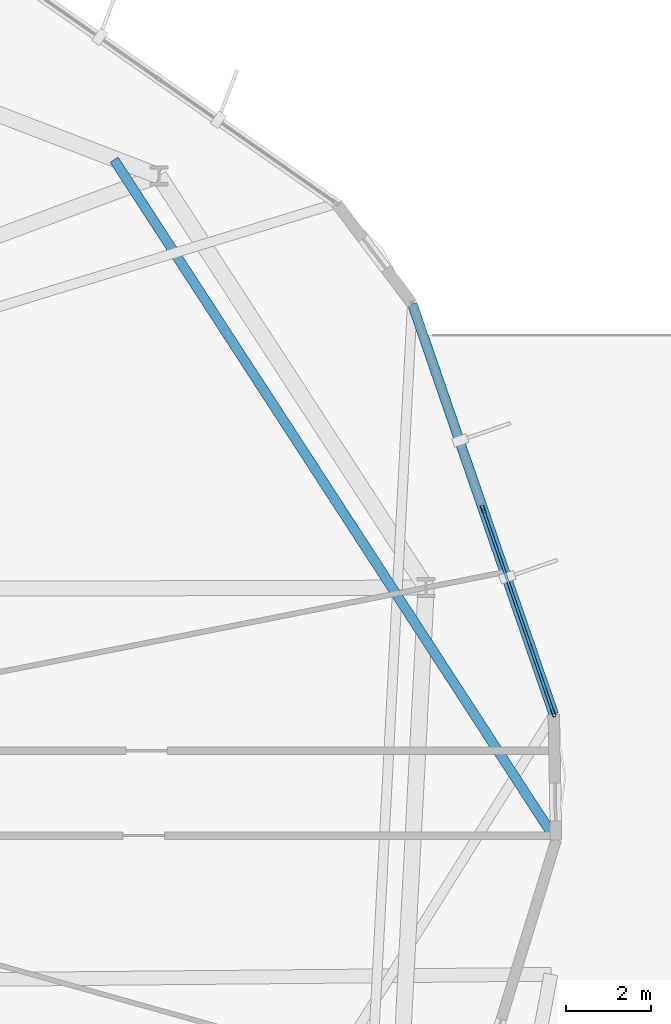
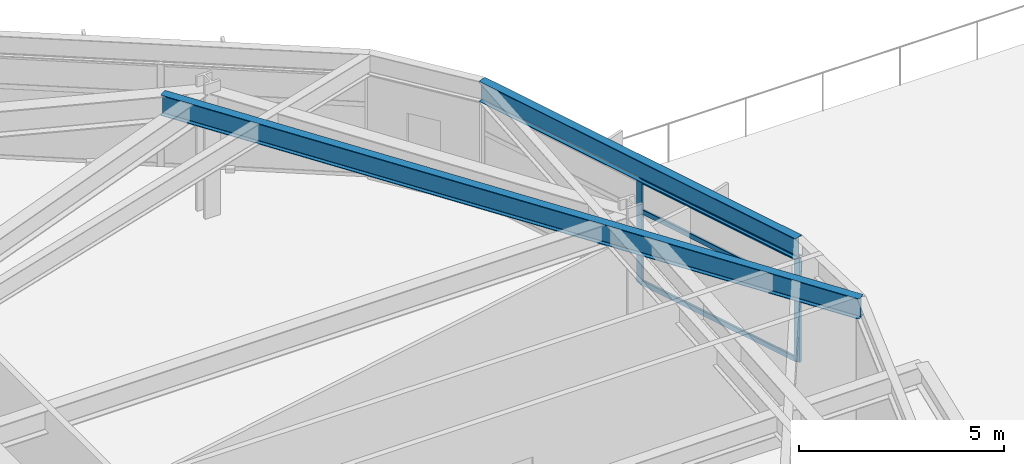
# One storey, part 10 of 23: 5 members, 2 beams, 1 element without a shape of its own.
"""IFC4 building model written with IfcOpenShell, lengths in metres."""

from ifc_helpers import new_model, si_unit, direction, frame, origin, origin_2d, place, context, subcontext, project, spatial, hollow_rectangle, i_section, extrude, material, layer, layer_set, material_profile, profile_set, type_object, element, aggregate, save


model = new_model("IFC4")

# Units and contexts
model_context = context("Model", 3, precision=1e-05, world=origin(), true_north=direction((0.0, 1.0)))
body_context = subcontext(model_context, "Body", "Model", "MODEL_VIEW")
ifc_project = project(units=[si_unit("LENGTHUNIT", "METRE"), si_unit("AREAUNIT", "SQUARE_METRE"), si_unit("VOLUMEUNIT", "CUBIC_METRE"), si_unit("PLANEANGLEUNIT", "RADIAN"), si_unit("MASSUNIT", "GRAM", prefix="KILO")], contexts=[model_context])

# Site, building, storey
site_placement = place(None, origin())
site = spatial("IfcSite", under=ifc_project, at=site_placement, CompositionType="ELEMENT")
building_placement = place(site_placement, origin())
building = spatial("IfcBuilding", under=site, at=building_placement, Name="Soratama Intermodal Tower", CompositionType="ELEMENT")
storey_placement = place(building_placement, frame((0.0, 0.0, 30.60009765625)))
storey = spatial("IfcBuildingStorey", under=building, at=storey_placement, Name="L06", CompositionType="ELEMENT", Elevation=30.60009765625)

# Beams
ifc_material_1 = material(Name="Structural steel ASTM A992 Grade 50", Category="steel")
ifc_material_profile_1 = material_profile(ifc_material_1, i_section(OverallWidth=0.22900390625, OverallDepth=0.612060546875, WebThickness=0.011962890625, FlangeThickness=0.01953125, FilletRadius=0.012939453125, at=origin_2d()), Name="W24X84")
ifc_profile_set_1 = profile_set([ifc_material_profile_1], Name="Structural steel ASTM A992 Grade 50")
beam_type_1 = type_object("IfcBeamType", Name="BM-SPN-W24X84", PredefinedType="SPANDREL", material=ifc_profile_set_1)
beam_1_placement = place(storey_placement, frame((66.087890625, 26.85888671875, 3.393798828125), z_axis=(-0.325883307042, 0.945410001106, 0.0), x_axis=(-0.945410001106, -0.325883307042, 0.0)))
element("IfcBeam", 1, at=beam_1_placement, inside=storey, type_object=beam_type_1, Name="BS-L06-F01", PredefinedType="SPANDREL", context=body_context, shape_type="SweptSolid", body=[
    extrude(i_section(OverallWidth=0.22900390625, OverallDepth=0.612060546875, WebThickness=0.011962890625, FlangeThickness=0.01953125, FilletRadius=0.012939453125, at=origin_2d()), origin(), (0.0, 0.0, 1.0), 10.230712890625),
])
ifc_material_2 = material(Name="Structural steel ASTM A992 Grade 50", Category="steel")
ifc_material_profile_2 = material_profile(ifc_material_2, i_section(OverallWidth=0.22900390625, OverallDepth=0.612060546875, WebThickness=0.011962890625, FlangeThickness=0.01953125, FilletRadius=0.012939453125, at=origin_2d()), Name="W24X84")
ifc_profile_set_2 = profile_set([ifc_material_profile_2], Name="Structural steel ASTM A992 Grade 50")
beam_type_2 = type_object("IfcBeamType", Name="BM-TIE-W24X84", PredefinedType="BEAM", material=ifc_profile_set_2)
beam_2_placement = place(storey_placement, frame((55.72705078125, 39.927001953125, 3.393798828125), z_axis=(0.544694327638, -0.838634657905, 0.0), x_axis=(0.838634657905, 0.544694327638, 0.0)))
element("IfcBeam", 2, at=beam_2_placement, inside=storey, type_object=beam_type_2, Name="BM-L06-TIE1-10", PredefinedType="BEAM", context=body_context, shape_type="SweptSolid", body=[
    extrude(i_section(OverallWidth=0.22900390625, OverallDepth=0.612060546875, WebThickness=0.011962890625, FlangeThickness=0.01953125, FilletRadius=0.012939453125, at=origin_2d()), origin(), (0.0, 0.0, 1.0), 19.119140625),
])

# Curtain wall, members
ifc_material_3 = material(Name="Double-glazed aluminium curtain wall", Category="aluminium")
ifc_layer = layer(ifc_material_3, 0.159912109375)
ifc_layer_set = layer_set([ifc_layer], Name="Double-glazed aluminium curtain wall")
curtain_wall_type = type_object("IfcCurtainWallType", Name="CW-SYS-2", PredefinedType="NOTDEFINED", material=ifc_layer_set)
curtain_wall_placement = place(storey_placement, origin())
curtain_wall = element("IfcCurtainWall", 3, at=curtain_wall_placement, inside=storey, type_object=curtain_wall_type, Name="L06 Faceted Curtain Wall F01", PredefinedType="NOTDEFINED")
ifc_material_4 = material(Name="Anodised aluminium AA 6063-T6", Category="aluminium")
ifc_material_profile_3 = material_profile(ifc_material_4, hollow_rectangle(XDim=0.074951171875, YDim=0.179931640625, WallThickness=0.006103515625, InnerFilletRadius=0.006103515625, OuterFilletRadius=0.011962890625, at=origin_2d()), Name="CWM180X75X6")
ifc_profile_set_3 = profile_set([ifc_material_profile_3], Name="Anodised aluminium AA 6063-T6")
member_type_1 = type_object("IfcMemberType", Name="MT-CWM-2", PredefinedType="MULLION", material=ifc_profile_set_3)
member_1_placement = place(storey_placement, frame((66.07861328125, 26.887451171875, 0.0), z_axis=(0.0, 0.0, 1.0), x_axis=(-0.945406217514, -0.325894283296, 0.0)))
member_1 = element("IfcMember", 4, at=member_1_placement, type_object=member_type_1, Name="CW-2 mullion 1", PredefinedType="MULLION", context=body_context, shape_type="SweptSolid", body=[
    extrude(hollow_rectangle(XDim=0.074951171875, YDim=0.179931640625, WallThickness=0.006103515625, InnerFilletRadius=0.006103515625, OuterFilletRadius=0.011962890625, at=origin_2d()), origin(), (0.0, 0.0, 1.0), 3.078857421875),
])
member_2_placement = place(storey_placement, frame((64.42138671875, 31.69482421875, 0.0), z_axis=(0.0, 0.0, 1.0), x_axis=(-0.945406217514, -0.325894283296, 0.0)))
member_2 = element("IfcMember", 5, at=member_2_placement, type_object=member_type_1, Name="CW-2 mullion 2", PredefinedType="MULLION", context=body_context, shape_type="SweptSolid", body=[
    extrude(hollow_rectangle(XDim=0.074951171875, YDim=0.179931640625, WallThickness=0.006103515625, InnerFilletRadius=0.006103515625, OuterFilletRadius=0.011962890625, at=origin_2d()), origin(), (0.0, 0.0, 1.0), 3.078857421875),
])
ifc_material_5 = material(Name="Anodised aluminium AA 6063-T6", Category="aluminium")
ifc_material_profile_4 = material_profile(ifc_material_5, hollow_rectangle(XDim=0.06494140625, YDim=0.14990234375, WallThickness=0.0048828125, InnerFilletRadius=0.0048828125, OuterFilletRadius=0.010009765625, at=origin_2d()), Name="CWT150X65X5")
ifc_profile_set_4 = profile_set([ifc_material_profile_4], Name="Anodised aluminium AA 6063-T6")
member_type_2 = type_object("IfcMemberType", Name="TT-CWT-1", PredefinedType="USERDEFINED", material=ifc_profile_set_4)
member_3_placement = place(storey_placement, frame((66.06884765625, 26.915771484375, 0.02978515625), z_axis=(-0.325903839349, 0.94540292336, 0.0), x_axis=(-0.94540292336, -0.325903839349, 0.0)))
member_3 = element("IfcMember", 6, at=member_3_placement, type_object=member_type_2, Name="CW-2 transom 1.1", ObjectType="TRANSOM", PredefinedType="USERDEFINED", context=body_context, shape_type="SweptSolid", body=[
    extrude(hollow_rectangle(XDim=0.06494140625, YDim=0.14990234375, WallThickness=0.0048828125, InnerFilletRadius=0.0048828125, OuterFilletRadius=0.010009765625, at=origin_2d()), origin(), (0.0, 0.0, 1.0), 5.025146484375),
])
member_4_placement = place(storey_placement, frame((66.06884765625, 26.915771484375, 2.14990234375), z_axis=(-0.325903839349, 0.94540292336, 0.0), x_axis=(-0.94540292336, -0.325903839349, 0.0)))
member_4 = element("IfcMember", 7, at=member_4_placement, type_object=member_type_2, Name="CW-2 transom 1.2", ObjectType="TRANSOM", PredefinedType="USERDEFINED", context=body_context, shape_type="SweptSolid", body=[
    extrude(hollow_rectangle(XDim=0.06494140625, YDim=0.14990234375, WallThickness=0.0048828125, InnerFilletRadius=0.0048828125, OuterFilletRadius=0.010009765625, at=origin_2d()), origin(), (0.0, 0.0, 1.0), 5.025146484375),
])
member_5_placement = place(storey_placement, frame((66.06884765625, 26.915771484375, 3.048828125), z_axis=(-0.325903839349, 0.94540292336, 0.0), x_axis=(-0.94540292336, -0.325903839349, 0.0)))
member_5 = element("IfcMember", 8, at=member_5_placement, type_object=member_type_2, Name="CW-2 transom 1.3", ObjectType="TRANSOM", PredefinedType="USERDEFINED", context=body_context, shape_type="SweptSolid", body=[
    extrude(hollow_rectangle(XDim=0.06494140625, YDim=0.14990234375, WallThickness=0.0048828125, InnerFilletRadius=0.0048828125, OuterFilletRadius=0.010009765625, at=origin_2d()), origin(), (0.0, 0.0, 1.0), 5.025146484375),
])
aggregate(curtain_wall, [member_1, member_2, member_3, member_4, member_5])

save(model, "model.ifc")
